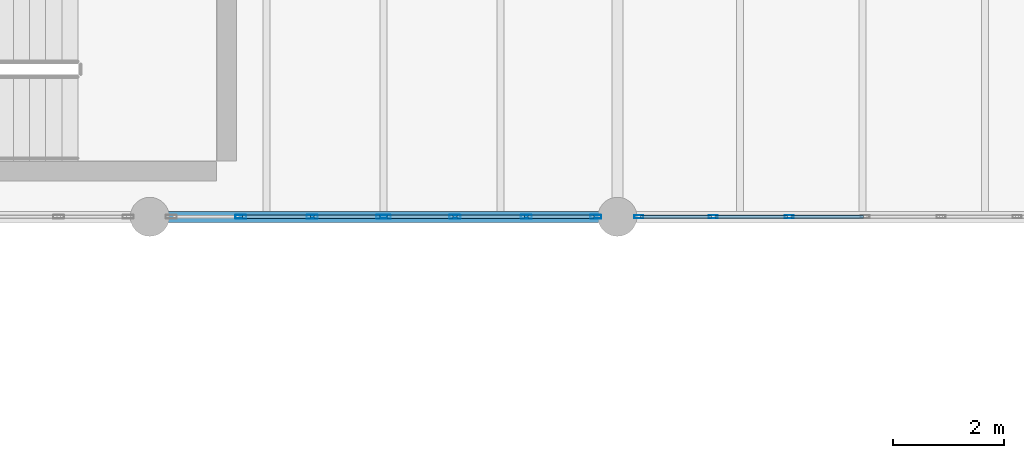
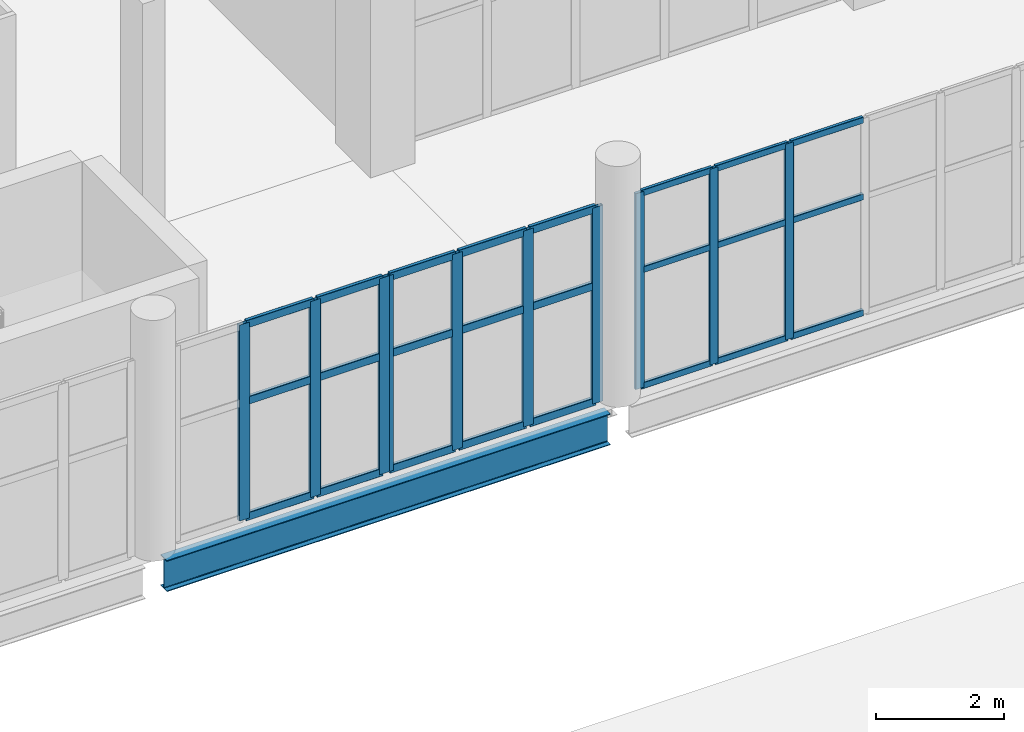
# One storey, part 53 of 136: 34 members, 1 beam, 3 elements without a shape of their own.
"""IFC4 building model written with IfcOpenShell, lengths in metres."""

from ifc_helpers import new_model, si_unit, direction, frame, origin, origin_2d, place, context, subcontext, project, spatial, hollow_rectangle, i_section, extrude, material, material_profile, profile_set, type_object, element, aggregate, save


model = new_model("IFC4")

# Units and contexts
model_context = context("Model", 3, precision=1e-05, world=origin(), true_north=direction((0.0, 1.0)))
body_context = subcontext(model_context, "Body", "Model", "MODEL_VIEW")
ifc_project = project(units=[si_unit("LENGTHUNIT", "METRE"), si_unit("AREAUNIT", "SQUARE_METRE"), si_unit("VOLUMEUNIT", "CUBIC_METRE"), si_unit("PLANEANGLEUNIT", "RADIAN"), si_unit("MASSUNIT", "GRAM", prefix="KILO")], contexts=[model_context])

# Site, building, storey
site_placement = place(None, origin())
site = spatial("IfcSite", under=ifc_project, at=site_placement, CompositionType="ELEMENT")
building_placement = place(site_placement, origin())
building = spatial("IfcBuilding", under=site, at=building_placement, Name="Shengluoqiao Park Theatre", CompositionType="ELEMENT")
storey_placement = place(building_placement, frame((0.0, 0.0, 10.0)))
storey = spatial("IfcBuildingStorey", under=building, at=storey_placement, Name="L02", CompositionType="ELEMENT", Elevation=10.0)

# Curtain wall, members
ifc_material_1 = material(Name="Aluminium 6063-T6", Category="aluminium")
curtain_wall_type_1 = type_object("IfcCurtainWallType", Name="ENV-CW-BRIDGE", PredefinedType="NOTDEFINED", material=ifc_material_1)
curtain_wall_1_placement = place(storey_placement, origin())
curtain_wall_1 = element("IfcCurtainWall", 1, at=curtain_wall_1_placement, inside=storey, type_object=curtain_wall_type_1, Name="L02 Curtain Wall CWX-L02-0107", PredefinedType="NOTDEFINED")
ifc_material_profile_1 = material_profile(ifc_material_1, hollow_rectangle(XDim=0.06005859375, YDim=0.159912109375, WallThickness=0.00390625, InnerFilletRadius=0.00390625, OuterFilletRadius=0.008056640625, at=origin_2d()), Name="ALU MULLION 160x60x4")
ifc_profile_set_1 = profile_set([ifc_material_profile_1], Name="Aluminium 6063-T6")
member_type_1 = type_object("IfcMemberType", Name="ENV-MUL-160", PredefinedType="MULLION", material=ifc_profile_set_1)
member_1_placement = place(storey_placement, frame((86.783935546875, 68.39990234375, 0.0), z_axis=(0.0, 0.0, 1.0), x_axis=(0.0, 1.0, 0.0)))
member_1 = element("IfcMember", 2, at=member_1_placement, type_object=member_type_1, Name="CW-03 mullion 1", PredefinedType="MULLION", context=body_context, shape_type="SweptSolid", body=[
    extrude(hollow_rectangle(XDim=0.06005859375, YDim=0.159912109375, WallThickness=0.00390625, InnerFilletRadius=0.00390625, OuterFilletRadius=0.008056640625, at=origin_2d()), origin(), (0.0, 0.0, 1.0), 3.741943359375),
])
member_2_placement = place(storey_placement, frame((88.11865234375, 68.39990234375, 0.0), z_axis=(0.0, 0.0, 1.0), x_axis=(0.0, 1.0, 0.0)))
member_2 = element("IfcMember", 3, at=member_2_placement, type_object=member_type_1, Name="CW-03 mullion 2", PredefinedType="MULLION", context=body_context, shape_type="SweptSolid", body=[
    extrude(hollow_rectangle(XDim=0.06005859375, YDim=0.159912109375, WallThickness=0.00390625, InnerFilletRadius=0.00390625, OuterFilletRadius=0.008056640625, at=origin_2d()), origin(), (0.0, 0.0, 1.0), 3.741943359375),
])
member_3_placement = place(storey_placement, frame((89.4833984375, 68.39990234375, 0.0), z_axis=(0.0, 0.0, 1.0), x_axis=(0.0, 1.0, 0.0)))
member_3 = element("IfcMember", 4, at=member_3_placement, type_object=member_type_1, Name="CW-03 mullion 3", PredefinedType="MULLION", context=body_context, shape_type="SweptSolid", body=[
    extrude(hollow_rectangle(XDim=0.06005859375, YDim=0.159912109375, WallThickness=0.00390625, InnerFilletRadius=0.00390625, OuterFilletRadius=0.008056640625, at=origin_2d()), origin(), (0.0, 0.0, 1.0), 3.741943359375),
])

curtain_wall_type_2 = type_object("IfcCurtainWallType", Name="ENV-CW-PROM", PredefinedType="NOTDEFINED", material=ifc_material_1)
curtain_wall_2_placement = place(storey_placement, origin())
curtain_wall_2 = element("IfcCurtainWall", 5, at=curtain_wall_2_placement, inside=storey, type_object=curtain_wall_type_2, Name="L02 Curtain Wall CW-L02-0074", PredefinedType="NOTDEFINED")
ifc_material_profile_2 = material_profile(ifc_material_1, hollow_rectangle(XDim=0.06494140625, YDim=0.199951171875, WallThickness=0.0048828125, InnerFilletRadius=0.0048828125, OuterFilletRadius=0.010009765625, at=origin_2d()), Name="ALU MULLION 200x65x5")
ifc_profile_set_2 = profile_set([ifc_material_profile_2], Name="Aluminium 6063-T6")
member_type_2 = type_object("IfcMemberType", Name="ENV-MUL-200", PredefinedType="MULLION", material=ifc_profile_set_2)
member_4_placement = place(storey_placement, frame((79.635986328125, 68.39990234375, 0.0), z_axis=(0.0, 0.0, 1.0), x_axis=(0.0, 1.0, 0.0)))
member_4 = element("IfcMember", 6, at=member_4_placement, type_object=member_type_2, Name="CW-04 mullion 2", PredefinedType="MULLION", context=body_context, shape_type="SweptSolid", body=[
    extrude(hollow_rectangle(XDim=0.06494140625, YDim=0.199951171875, WallThickness=0.0048828125, InnerFilletRadius=0.0048828125, OuterFilletRadius=0.010009765625, at=origin_2d()), origin(), (0.0, 0.0, 1.0), 3.741943359375),
])
member_5_placement = place(storey_placement, frame((80.91796875, 68.39990234375, 0.0), z_axis=(0.0, 0.0, 1.0), x_axis=(0.0, 1.0, 0.0)))
member_5 = element("IfcMember", 7, at=member_5_placement, type_object=member_type_2, Name="CW-04 mullion 3", PredefinedType="MULLION", context=body_context, shape_type="SweptSolid", body=[
    extrude(hollow_rectangle(XDim=0.06494140625, YDim=0.199951171875, WallThickness=0.0048828125, InnerFilletRadius=0.0048828125, OuterFilletRadius=0.010009765625, at=origin_2d()), origin(), (0.0, 0.0, 1.0), 3.741943359375),
])
member_6_placement = place(storey_placement, frame((82.16748046875, 68.39990234375, 0.0), z_axis=(0.0, 0.0, 1.0), x_axis=(0.0, 1.0, 0.0)))
member_6 = element("IfcMember", 8, at=member_6_placement, type_object=member_type_2, Name="CW-04 mullion 4", PredefinedType="MULLION", context=body_context, shape_type="SweptSolid", body=[
    extrude(hollow_rectangle(XDim=0.06494140625, YDim=0.199951171875, WallThickness=0.0048828125, InnerFilletRadius=0.0048828125, OuterFilletRadius=0.010009765625, at=origin_2d()), origin(), (0.0, 0.0, 1.0), 3.741943359375),
])

curtain_wall_3_placement = place(storey_placement, origin())
curtain_wall_3 = element("IfcCurtainWall", 9, at=curtain_wall_3_placement, inside=storey, type_object=curtain_wall_type_2, Name="L02 Curtain Wall CW-L02-0075", PredefinedType="NOTDEFINED")
member_7_placement = place(storey_placement, frame((82.232421875, 68.39990234375, 0.0), z_axis=(0.0, 0.0, 1.0), x_axis=(0.0, 1.0, 0.0)))
member_7 = element("IfcMember", 10, at=member_7_placement, type_object=member_type_2, Name="CW-04 mullion 1", PredefinedType="MULLION", context=body_context, shape_type="SweptSolid", body=[
    extrude(hollow_rectangle(XDim=0.06494140625, YDim=0.199951171875, WallThickness=0.0048828125, InnerFilletRadius=0.0048828125, OuterFilletRadius=0.010009765625, at=origin_2d()), origin(), (0.0, 0.0, 1.0), 3.741943359375),
])
member_8_placement = place(storey_placement, frame((83.48193359375, 68.39990234375, 0.0), z_axis=(0.0, 0.0, 1.0), x_axis=(0.0, 1.0, 0.0)))
member_8 = element("IfcMember", 11, at=member_8_placement, type_object=member_type_2, Name="CW-04 mullion 2", PredefinedType="MULLION", context=body_context, shape_type="SweptSolid", body=[
    extrude(hollow_rectangle(XDim=0.06494140625, YDim=0.199951171875, WallThickness=0.0048828125, InnerFilletRadius=0.0048828125, OuterFilletRadius=0.010009765625, at=origin_2d()), origin(), (0.0, 0.0, 1.0), 3.741943359375),
])
member_9_placement = place(storey_placement, frame((84.763916015625, 68.39990234375, 0.0), z_axis=(0.0, 0.0, 1.0), x_axis=(0.0, 1.0, 0.0)))
member_9 = element("IfcMember", 12, at=member_9_placement, type_object=member_type_2, Name="CW-04 mullion 3", PredefinedType="MULLION", context=body_context, shape_type="SweptSolid", body=[
    extrude(hollow_rectangle(XDim=0.06494140625, YDim=0.199951171875, WallThickness=0.0048828125, InnerFilletRadius=0.0048828125, OuterFilletRadius=0.010009765625, at=origin_2d()), origin(), (0.0, 0.0, 1.0), 3.741943359375),
])
member_10_placement = place(storey_placement, frame((86.013427734375, 68.39990234375, 0.0), z_axis=(0.0, 0.0, 1.0), x_axis=(0.0, 1.0, 0.0)))
member_10 = element("IfcMember", 13, at=member_10_placement, type_object=member_type_2, Name="CW-04 mullion 4", PredefinedType="MULLION", context=body_context, shape_type="SweptSolid", body=[
    extrude(hollow_rectangle(XDim=0.06494140625, YDim=0.199951171875, WallThickness=0.0048828125, InnerFilletRadius=0.0048828125, OuterFilletRadius=0.010009765625, at=origin_2d()), origin(), (0.0, 0.0, 1.0), 3.741943359375),
])

# Member
ifc_material_profile_3 = material_profile(ifc_material_1, hollow_rectangle(XDim=0.06005859375, YDim=0.1201171875, WallThickness=0.00390625, InnerFilletRadius=0.00390625, OuterFilletRadius=0.008056640625, at=origin_2d()), Name="ALU TRANSOM 120x60x4")
ifc_profile_set_3 = profile_set([ifc_material_profile_3], Name="Aluminium 6063-T6")
member_type_3 = type_object("IfcMemberType", Name="ENV-TRN-120", PredefinedType="USERDEFINED", material=ifc_profile_set_3)
member_11_placement = place(storey_placement, frame((86.81396484375, 68.39990234375, 0.030029296875), z_axis=(1.0, 0.0, 0.0), x_axis=(0.0, 1.0, 0.0)))
member_11 = element("IfcMember", 14, at=member_11_placement, type_object=member_type_3, Name="CW-03 transom 1.1", ObjectType="TRANSOM", PredefinedType="USERDEFINED", context=body_context, shape_type="SweptSolid", body=[
    extrude(hollow_rectangle(XDim=0.06005859375, YDim=0.1201171875, WallThickness=0.00390625, InnerFilletRadius=0.00390625, OuterFilletRadius=0.008056640625, at=origin_2d()), origin(), (0.0, 0.0, 1.0), 1.274658203125),
])

member_12_placement = place(storey_placement, frame((86.81396484375, 68.39990234375, 2.2451171875), z_axis=(1.0, 0.0, 0.0), x_axis=(0.0, 1.0, 0.0)))
member_12 = element("IfcMember", 15, at=member_12_placement, type_object=member_type_3, Name="CW-03 transom 1.2", ObjectType="TRANSOM", PredefinedType="USERDEFINED", context=body_context, shape_type="SweptSolid", body=[
    extrude(hollow_rectangle(XDim=0.06005859375, YDim=0.1201171875, WallThickness=0.00390625, InnerFilletRadius=0.00390625, OuterFilletRadius=0.008056640625, at=origin_2d()), origin(), (0.0, 0.0, 1.0), 1.274658203125),
])

member_13_placement = place(storey_placement, frame((86.81396484375, 68.39990234375, 3.7119140625), z_axis=(1.0, 0.0, 0.0), x_axis=(0.0, 1.0, 0.0)))
member_13 = element("IfcMember", 16, at=member_13_placement, type_object=member_type_3, Name="CW-03 transom 1.3", ObjectType="TRANSOM", PredefinedType="USERDEFINED", context=body_context, shape_type="SweptSolid", body=[
    extrude(hollow_rectangle(XDim=0.06005859375, YDim=0.1201171875, WallThickness=0.00390625, InnerFilletRadius=0.00390625, OuterFilletRadius=0.008056640625, at=origin_2d()), origin(), (0.0, 0.0, 1.0), 1.274658203125),
])

member_14_placement = place(storey_placement, frame((88.148681640625, 68.39990234375, 0.030029296875), z_axis=(1.0, 0.0, 0.0), x_axis=(0.0, 1.0, 0.0)))
member_14 = element("IfcMember", 17, at=member_14_placement, type_object=member_type_3, Name="CW-03 transom 2.1", ObjectType="TRANSOM", PredefinedType="USERDEFINED", context=body_context, shape_type="SweptSolid", body=[
    extrude(hollow_rectangle(XDim=0.06005859375, YDim=0.1201171875, WallThickness=0.00390625, InnerFilletRadius=0.00390625, OuterFilletRadius=0.008056640625, at=origin_2d()), origin(), (0.0, 0.0, 1.0), 1.3046875),
])

member_15_placement = place(storey_placement, frame((88.148681640625, 68.39990234375, 2.2451171875), z_axis=(1.0, 0.0, 0.0), x_axis=(0.0, 1.0, 0.0)))
member_15 = element("IfcMember", 18, at=member_15_placement, type_object=member_type_3, Name="CW-03 transom 2.2", ObjectType="TRANSOM", PredefinedType="USERDEFINED", context=body_context, shape_type="SweptSolid", body=[
    extrude(hollow_rectangle(XDim=0.06005859375, YDim=0.1201171875, WallThickness=0.00390625, InnerFilletRadius=0.00390625, OuterFilletRadius=0.008056640625, at=origin_2d()), origin(), (0.0, 0.0, 1.0), 1.3046875),
])

member_16_placement = place(storey_placement, frame((88.148681640625, 68.39990234375, 3.7119140625), z_axis=(1.0, 0.0, 0.0), x_axis=(0.0, 1.0, 0.0)))
member_16 = element("IfcMember", 19, at=member_16_placement, type_object=member_type_3, Name="CW-03 transom 2.3", ObjectType="TRANSOM", PredefinedType="USERDEFINED", context=body_context, shape_type="SweptSolid", body=[
    extrude(hollow_rectangle(XDim=0.06005859375, YDim=0.1201171875, WallThickness=0.00390625, InnerFilletRadius=0.00390625, OuterFilletRadius=0.008056640625, at=origin_2d()), origin(), (0.0, 0.0, 1.0), 1.3046875),
])

member_17_placement = place(storey_placement, frame((89.513427734375, 68.39990234375, 0.030029296875), z_axis=(1.0, 0.0, 0.0), x_axis=(0.0, 1.0, 0.0)))
member_17 = element("IfcMember", 20, at=member_17_placement, type_object=member_type_3, Name="CW-03 transom 3.1", ObjectType="TRANSOM", PredefinedType="USERDEFINED", context=body_context, shape_type="SweptSolid", body=[
    extrude(hollow_rectangle(XDim=0.06005859375, YDim=0.1201171875, WallThickness=0.00390625, InnerFilletRadius=0.00390625, OuterFilletRadius=0.008056640625, at=origin_2d()), origin(), (0.0, 0.0, 1.0), 1.3046875),
])

member_18_placement = place(storey_placement, frame((89.513427734375, 68.39990234375, 2.2451171875), z_axis=(1.0, 0.0, 0.0), x_axis=(0.0, 1.0, 0.0)))
member_18 = element("IfcMember", 21, at=member_18_placement, type_object=member_type_3, Name="CW-03 transom 3.2", ObjectType="TRANSOM", PredefinedType="USERDEFINED", context=body_context, shape_type="SweptSolid", body=[
    extrude(hollow_rectangle(XDim=0.06005859375, YDim=0.1201171875, WallThickness=0.00390625, InnerFilletRadius=0.00390625, OuterFilletRadius=0.008056640625, at=origin_2d()), origin(), (0.0, 0.0, 1.0), 1.3046875),
])

member_19_placement = place(storey_placement, frame((89.513427734375, 68.39990234375, 3.7119140625), z_axis=(1.0, 0.0, 0.0), x_axis=(0.0, 1.0, 0.0)))
member_19 = element("IfcMember", 22, at=member_19_placement, type_object=member_type_3, Name="CW-03 transom 3.3", ObjectType="TRANSOM", PredefinedType="USERDEFINED", context=body_context, shape_type="SweptSolid", body=[
    extrude(hollow_rectangle(XDim=0.06005859375, YDim=0.1201171875, WallThickness=0.00390625, InnerFilletRadius=0.00390625, OuterFilletRadius=0.008056640625, at=origin_2d()), origin(), (0.0, 0.0, 1.0), 1.3046875),
])

aggregate(curtain_wall_1, [member_1, member_2, member_3, member_11, member_12, member_13, member_14, member_15, member_16, member_17, member_18, member_19])

ifc_material_profile_4 = material_profile(ifc_material_1, hollow_rectangle(XDim=0.06494140625, YDim=0.14990234375, WallThickness=0.00390625, InnerFilletRadius=0.00390625, OuterFilletRadius=0.008056640625, at=origin_2d()), Name="ALU TRANSOM 150x65x4")
ifc_profile_set_4 = profile_set([ifc_material_profile_4], Name="Aluminium 6063-T6")
member_type_4 = type_object("IfcMemberType", Name="ENV-TRN-150", PredefinedType="USERDEFINED", material=ifc_profile_set_4)
member_20_placement = place(storey_placement, frame((79.66845703125, 68.39990234375, 0.032470703125), z_axis=(1.0, 0.0, 0.0), x_axis=(0.0, 1.0, 0.0)))
member_20 = element("IfcMember", 23, at=member_20_placement, type_object=member_type_4, Name="CW-04 transom 2.1", ObjectType="TRANSOM", PredefinedType="USERDEFINED", context=body_context, shape_type="SweptSolid", body=[
    extrude(hollow_rectangle(XDim=0.06494140625, YDim=0.14990234375, WallThickness=0.00390625, InnerFilletRadius=0.00390625, OuterFilletRadius=0.008056640625, at=origin_2d()), origin(), (0.0, 0.0, 1.0), 1.217041015625),
])

member_21_placement = place(storey_placement, frame((79.66845703125, 68.39990234375, 2.2451171875), z_axis=(1.0, 0.0, 0.0), x_axis=(0.0, 1.0, 0.0)))
member_21 = element("IfcMember", 24, at=member_21_placement, type_object=member_type_4, Name="CW-04 transom 2.2", ObjectType="TRANSOM", PredefinedType="USERDEFINED", context=body_context, shape_type="SweptSolid", body=[
    extrude(hollow_rectangle(XDim=0.06494140625, YDim=0.14990234375, WallThickness=0.00390625, InnerFilletRadius=0.00390625, OuterFilletRadius=0.008056640625, at=origin_2d()), origin(), (0.0, 0.0, 1.0), 1.217041015625),
])

member_22_placement = place(storey_placement, frame((79.66845703125, 68.39990234375, 3.70947265625), z_axis=(1.0, 0.0, 0.0), x_axis=(0.0, 1.0, 0.0)))
member_22 = element("IfcMember", 25, at=member_22_placement, type_object=member_type_4, Name="CW-04 transom 2.3", ObjectType="TRANSOM", PredefinedType="USERDEFINED", context=body_context, shape_type="SweptSolid", body=[
    extrude(hollow_rectangle(XDim=0.06494140625, YDim=0.14990234375, WallThickness=0.00390625, InnerFilletRadius=0.00390625, OuterFilletRadius=0.008056640625, at=origin_2d()), origin(), (0.0, 0.0, 1.0), 1.217041015625),
])

member_23_placement = place(storey_placement, frame((80.950439453125, 68.39990234375, 0.032470703125), z_axis=(1.0, 0.0, 0.0), x_axis=(0.0, 1.0, 0.0)))
member_23 = element("IfcMember", 26, at=member_23_placement, type_object=member_type_4, Name="CW-04 transom 3.1", ObjectType="TRANSOM", PredefinedType="USERDEFINED", context=body_context, shape_type="SweptSolid", body=[
    extrude(hollow_rectangle(XDim=0.06494140625, YDim=0.14990234375, WallThickness=0.00390625, InnerFilletRadius=0.00390625, OuterFilletRadius=0.008056640625, at=origin_2d()), origin(), (0.0, 0.0, 1.0), 1.1845703125),
])

member_24_placement = place(storey_placement, frame((80.950439453125, 68.39990234375, 2.2451171875), z_axis=(1.0, 0.0, 0.0), x_axis=(0.0, 1.0, 0.0)))
member_24 = element("IfcMember", 27, at=member_24_placement, type_object=member_type_4, Name="CW-04 transom 3.2", ObjectType="TRANSOM", PredefinedType="USERDEFINED", context=body_context, shape_type="SweptSolid", body=[
    extrude(hollow_rectangle(XDim=0.06494140625, YDim=0.14990234375, WallThickness=0.00390625, InnerFilletRadius=0.00390625, OuterFilletRadius=0.008056640625, at=origin_2d()), origin(), (0.0, 0.0, 1.0), 1.1845703125),
])

member_25_placement = place(storey_placement, frame((80.950439453125, 68.39990234375, 3.70947265625), z_axis=(1.0, 0.0, 0.0), x_axis=(0.0, 1.0, 0.0)))
member_25 = element("IfcMember", 28, at=member_25_placement, type_object=member_type_4, Name="CW-04 transom 3.3", ObjectType="TRANSOM", PredefinedType="USERDEFINED", context=body_context, shape_type="SweptSolid", body=[
    extrude(hollow_rectangle(XDim=0.06494140625, YDim=0.14990234375, WallThickness=0.00390625, InnerFilletRadius=0.00390625, OuterFilletRadius=0.008056640625, at=origin_2d()), origin(), (0.0, 0.0, 1.0), 1.1845703125),
])

aggregate(curtain_wall_2, [member_4, member_5, member_6, member_20, member_21, member_22, member_23, member_24, member_25])

member_26_placement = place(storey_placement, frame((82.264892578125, 68.39990234375, 0.032470703125), z_axis=(1.0, 0.0, 0.0), x_axis=(0.0, 1.0, 0.0)))
member_26 = element("IfcMember", 29, at=member_26_placement, type_object=member_type_4, Name="CW-04 transom 1.1", ObjectType="TRANSOM", PredefinedType="USERDEFINED", context=body_context, shape_type="SweptSolid", body=[
    extrude(hollow_rectangle(XDim=0.06494140625, YDim=0.14990234375, WallThickness=0.00390625, InnerFilletRadius=0.00390625, OuterFilletRadius=0.008056640625, at=origin_2d()), origin(), (0.0, 0.0, 1.0), 1.1845703125),
])

member_27_placement = place(storey_placement, frame((82.264892578125, 68.39990234375, 2.2451171875), z_axis=(1.0, 0.0, 0.0), x_axis=(0.0, 1.0, 0.0)))
member_27 = element("IfcMember", 30, at=member_27_placement, type_object=member_type_4, Name="CW-04 transom 1.2", ObjectType="TRANSOM", PredefinedType="USERDEFINED", context=body_context, shape_type="SweptSolid", body=[
    extrude(hollow_rectangle(XDim=0.06494140625, YDim=0.14990234375, WallThickness=0.00390625, InnerFilletRadius=0.00390625, OuterFilletRadius=0.008056640625, at=origin_2d()), origin(), (0.0, 0.0, 1.0), 1.1845703125),
])

member_28_placement = place(storey_placement, frame((82.264892578125, 68.39990234375, 3.70947265625), z_axis=(1.0, 0.0, 0.0), x_axis=(0.0, 1.0, 0.0)))
member_28 = element("IfcMember", 31, at=member_28_placement, type_object=member_type_4, Name="CW-04 transom 1.3", ObjectType="TRANSOM", PredefinedType="USERDEFINED", context=body_context, shape_type="SweptSolid", body=[
    extrude(hollow_rectangle(XDim=0.06494140625, YDim=0.14990234375, WallThickness=0.00390625, InnerFilletRadius=0.00390625, OuterFilletRadius=0.008056640625, at=origin_2d()), origin(), (0.0, 0.0, 1.0), 1.1845703125),
])

member_29_placement = place(storey_placement, frame((83.514404296875, 68.39990234375, 0.032470703125), z_axis=(1.0, 0.0, 0.0), x_axis=(0.0, 1.0, 0.0)))
member_29 = element("IfcMember", 32, at=member_29_placement, type_object=member_type_4, Name="CW-04 transom 2.1", ObjectType="TRANSOM", PredefinedType="USERDEFINED", context=body_context, shape_type="SweptSolid", body=[
    extrude(hollow_rectangle(XDim=0.06494140625, YDim=0.14990234375, WallThickness=0.00390625, InnerFilletRadius=0.00390625, OuterFilletRadius=0.008056640625, at=origin_2d()), origin(), (0.0, 0.0, 1.0), 1.217041015625),
])

member_30_placement = place(storey_placement, frame((83.514404296875, 68.39990234375, 2.2451171875), z_axis=(1.0, 0.0, 0.0), x_axis=(0.0, 1.0, 0.0)))
member_30 = element("IfcMember", 33, at=member_30_placement, type_object=member_type_4, Name="CW-04 transom 2.2", ObjectType="TRANSOM", PredefinedType="USERDEFINED", context=body_context, shape_type="SweptSolid", body=[
    extrude(hollow_rectangle(XDim=0.06494140625, YDim=0.14990234375, WallThickness=0.00390625, InnerFilletRadius=0.00390625, OuterFilletRadius=0.008056640625, at=origin_2d()), origin(), (0.0, 0.0, 1.0), 1.217041015625),
])

member_31_placement = place(storey_placement, frame((83.514404296875, 68.39990234375, 3.70947265625), z_axis=(1.0, 0.0, 0.0), x_axis=(0.0, 1.0, 0.0)))
member_31 = element("IfcMember", 34, at=member_31_placement, type_object=member_type_4, Name="CW-04 transom 2.3", ObjectType="TRANSOM", PredefinedType="USERDEFINED", context=body_context, shape_type="SweptSolid", body=[
    extrude(hollow_rectangle(XDim=0.06494140625, YDim=0.14990234375, WallThickness=0.00390625, InnerFilletRadius=0.00390625, OuterFilletRadius=0.008056640625, at=origin_2d()), origin(), (0.0, 0.0, 1.0), 1.217041015625),
])

member_32_placement = place(storey_placement, frame((84.79638671875, 68.39990234375, 0.032470703125), z_axis=(1.0, 0.0, 0.0), x_axis=(0.0, 1.0, 0.0)))
member_32 = element("IfcMember", 35, at=member_32_placement, type_object=member_type_4, Name="CW-04 transom 3.1", ObjectType="TRANSOM", PredefinedType="USERDEFINED", context=body_context, shape_type="SweptSolid", body=[
    extrude(hollow_rectangle(XDim=0.06494140625, YDim=0.14990234375, WallThickness=0.00390625, InnerFilletRadius=0.00390625, OuterFilletRadius=0.008056640625, at=origin_2d()), origin(), (0.0, 0.0, 1.0), 1.1845703125),
])

member_33_placement = place(storey_placement, frame((84.79638671875, 68.39990234375, 2.2451171875), z_axis=(1.0, 0.0, 0.0), x_axis=(0.0, 1.0, 0.0)))
member_33 = element("IfcMember", 36, at=member_33_placement, type_object=member_type_4, Name="CW-04 transom 3.2", ObjectType="TRANSOM", PredefinedType="USERDEFINED", context=body_context, shape_type="SweptSolid", body=[
    extrude(hollow_rectangle(XDim=0.06494140625, YDim=0.14990234375, WallThickness=0.00390625, InnerFilletRadius=0.00390625, OuterFilletRadius=0.008056640625, at=origin_2d()), origin(), (0.0, 0.0, 1.0), 1.1845703125),
])

member_34_placement = place(storey_placement, frame((84.79638671875, 68.39990234375, 3.70947265625), z_axis=(1.0, 0.0, 0.0), x_axis=(0.0, 1.0, 0.0)))
member_34 = element("IfcMember", 37, at=member_34_placement, type_object=member_type_4, Name="CW-04 transom 3.3", ObjectType="TRANSOM", PredefinedType="USERDEFINED", context=body_context, shape_type="SweptSolid", body=[
    extrude(hollow_rectangle(XDim=0.06494140625, YDim=0.14990234375, WallThickness=0.00390625, InnerFilletRadius=0.00390625, OuterFilletRadius=0.008056640625, at=origin_2d()), origin(), (0.0, 0.0, 1.0), 1.1845703125),
])

aggregate(curtain_wall_3, [member_7, member_8, member_9, member_10, member_26, member_27, member_28, member_29, member_30, member_31, member_32, member_33, member_34])

# Beam
ifc_material_2 = material(Name="Steel Q355", Category="steel")
ifc_material_profile_5 = material_profile(ifc_material_2, i_section(OverallWidth=0.198974609375, OverallDepth=0.595947265625, WebThickness=0.010009765625, FlangeThickness=0.014892578125, FilletRadius=0.02001953125, at=origin_2d()), Name="HN 596x199x10x15")
ifc_profile_set_5 = profile_set([ifc_material_profile_5], Name="Steel Q355")
beam_type = type_object("IfcBeamType", Name="STR-BM-SP-HN596", PredefinedType="SPANDREL", material=ifc_profile_set_5)
beam_placement = place(storey_placement, frame((78.194091796875, 68.39990234375, -0.5380859375), z_axis=(1.0, 0.0, 0.0), x_axis=(0.0, 1.0, 0.0)))
element("IfcBeam", 38, at=beam_placement, inside=storey, type_object=beam_type, Name="L02 Primary Girder 00990", PredefinedType="SPANDREL", context=body_context, shape_type="SweptSolid", body=[
    extrude(i_section(OverallWidth=0.198974609375, OverallDepth=0.595947265625, WebThickness=0.010009765625, FlangeThickness=0.014892578125, FilletRadius=0.02001953125, at=origin_2d()), origin(), (0.0, 0.0, 1.0), 8.011962890625),
])

save(model, "model.ifc")
